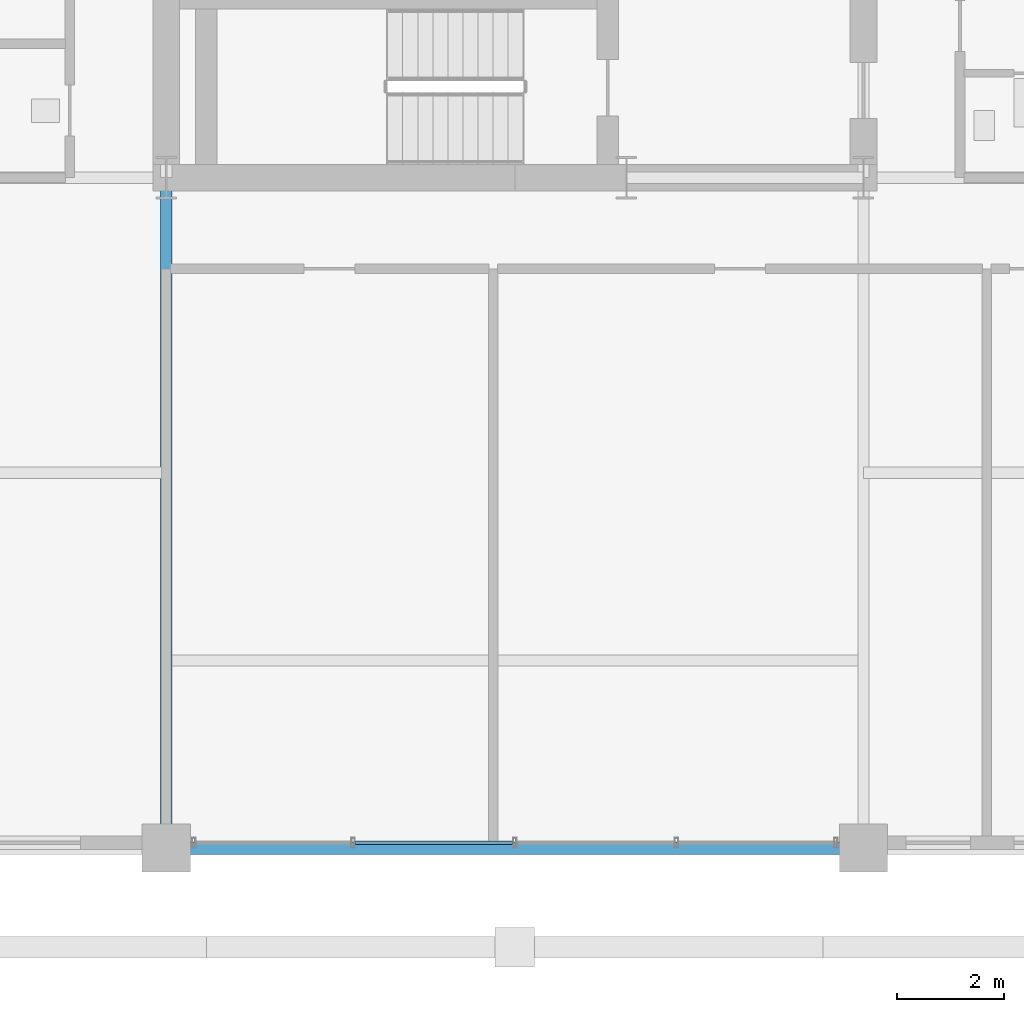
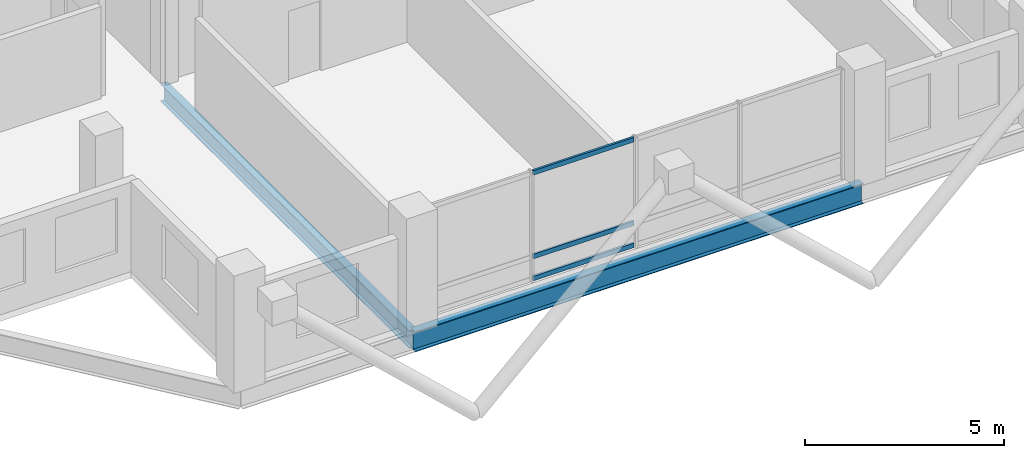
# One storey, part 4 of 23: 3 members, 2 beams, 1 element without a shape of its own.
"""IFC4 building model written with IfcOpenShell, lengths in metres."""

import ifcopenshell
import ifcopenshell.guid

model = None  # the IFC model being written
_history = None  # IfcOwnerHistory: only IFC2X3 demands one
_inside = {}  # id of a spatial element -> (the spatial element, [elements in it])
_under = {}  # id of a project, library or spatial element -> (it, [spatial elements below it])
_declared = {}  # id of a project -> (the project, [libraries it declares])
_typed = {}  # id of a type object -> (the type object, [elements of that type])
_made_of = {}  # id of a material, layer set ... -> (it, [elements and type objects made of it])


def new_model(schema):
    """Start an empty IFC model of exactly this schema.

    Asked for "IFC4X3", IfcOpenShell would pick the latest addendum, in which some entities
    have other attributes; the version numbers below select the first issue.
    IFC2X3 requires an IfcOwnerHistory on every rooted entity: one is made here for all.
    """
    global model, _history
    if schema == "IFC4X3":
        model = ifcopenshell.file(schema_version=(4, 3, 0, 0))
    else:
        model = ifcopenshell.file(schema=schema)
    _inside.clear()
    _under.clear()
    _declared.clear()
    _typed.clear()
    _made_of.clear()
    _history = None
    if model.schema == "IFC2X3":
        org = make("IfcOrganization", Name="unknown")
        user = make(
            "IfcPersonAndOrganization",
            ThePerson=make("IfcPerson", FamilyName="unknown"),
            TheOrganization=org,
        )
        app = make(
            "IfcApplication",
            ApplicationDeveloper=org,
            Version="unknown",
            ApplicationFullName="unknown",
            ApplicationIdentifier="unknown",
        )
        _history = make(
            "IfcOwnerHistory",
            OwningUser=user,
            OwningApplication=app,
            ChangeAction="ADDED",
            CreationDate=0,
        )
    return model


def make(cls, **values):
    """One entity of the class cls with the attributes given. An attribute that is None is left unset."""
    return model.create_entity(
        cls, **{name: value for name, value in values.items() if value is not None}
    )


def rooted(cls, **values):
    """An entity with a GlobalId (a new one), such as an element, a storey or a relation."""
    return make(cls, GlobalId=ifcopenshell.guid.new(), OwnerHistory=_history, **values)


def si_unit(unit_type, name, prefix=None):
    """IfcSIUnit, for example si_unit("LENGTHUNIT", "METRE", prefix="MILLI")."""
    return make("IfcSIUnit", UnitType=unit_type, Prefix=prefix, Name=name)


def assignment(units):
    """IfcUnitAssignment: the units of a project."""
    return None if units is None else make("IfcUnitAssignment", Units=units)


def point(xyz):
    """IfcCartesianPoint."""
    return None if xyz is None else make("IfcCartesianPoint", Coordinates=xyz)


def direction(xyz):
    """IfcDirection."""
    return None if xyz is None else make("IfcDirection", DirectionRatios=xyz)


def frame(location, z_axis=None, x_axis=None):
    """IfcAxis2Placement3D, a coordinate frame: its origin and axes. An axis left out is left unset."""
    return make(
        "IfcAxis2Placement3D",
        Location=point(location),
        Axis=direction(z_axis),
        RefDirection=direction(x_axis),
    )


def frame_2d(location, x_axis=None):
    """IfcAxis2Placement2D, a coordinate frame in the plane: its origin and x axis."""
    return make(
        "IfcAxis2Placement2D", Location=point(location), RefDirection=direction(x_axis)
    )


def origin():
    """The frame at (0, 0, 0) with its axes left unset."""
    return frame((0.0, 0.0, 0.0))


def origin_2d():
    """The frame at (0, 0) in the plane with its x axis left unset."""
    return frame_2d((0.0, 0.0))


def place(relative_to, where):
    """IfcLocalPlacement: puts the frame where relative to a parent placement (None: the world)."""
    return make(
        "IfcLocalPlacement", PlacementRelTo=relative_to, RelativePlacement=where
    )


def context(
    kind, dimensions, precision=None, world=None, true_north=None, identifier=None
):
    """IfcGeometricRepresentationContext, for example the 3D "Model" context."""
    return make(
        "IfcGeometricRepresentationContext",
        ContextIdentifier=identifier,
        ContextType=kind,
        CoordinateSpaceDimension=dimensions,
        Precision=precision,
        WorldCoordinateSystem=world,
        TrueNorth=true_north,
    )


def subcontext(parent, identifier, kind, view, scale=None):
    """IfcGeometricRepresentationSubContext, for example "Body" below "Model"."""
    return make(
        "IfcGeometricRepresentationSubContext",
        ContextIdentifier=identifier,
        ContextType=kind,
        ParentContext=parent,
        TargetScale=scale,
        TargetView=view,
    )


def project(units=None, contexts=None):
    """IfcProject with its units and contexts."""
    return rooted(
        "IfcProject",
        Name="project",
        RepresentationContexts=contexts,
        UnitsInContext=assignment(units),
    )


def spatial(cls, under=None, at=None, **own):
    """A site, building, storey or space (cls), placed at a placement, below another one or the project."""
    s = rooted(cls, ObjectPlacement=at, **own)
    if under is not None:
        _under.setdefault(under.id(), (under, []))[1].append(s)
    return s


def profile(cls, at=None, kind="AREA", **sizes):
    """A parametric profile (cls). Its sizes go by their IFC names, for example OverallWidth=200.0."""
    return make(cls, ProfileType=kind, Position=at, **sizes)


def hollow_rectangle(**sizes):
    """IfcRectangleHollowProfileDef."""
    return profile("IfcRectangleHollowProfileDef", **sizes)


def i_section(**sizes):
    """IfcIShapeProfileDef."""
    return profile("IfcIShapeProfileDef", **sizes)


def extrude(swept, where, along, depth):
    """IfcExtrudedAreaSolid: the profile swept, set in the frame where, extruded along a direction by depth."""
    return make(
        "IfcExtrudedAreaSolid",
        SweptArea=swept,
        Position=where,
        ExtrudedDirection=direction(along),
        Depth=depth,
    )


def shape(context_of_items, identifier, shape_type, items):
    """IfcShapeRepresentation: the items that make up one representation, for example the "Body"."""
    return make(
        "IfcShapeRepresentation",
        ContextOfItems=context_of_items,
        RepresentationIdentifier=identifier,
        RepresentationType=shape_type,
        Items=items,
    )


def material(Name=None, Category=None):
    """IfcMaterial."""
    return make("IfcMaterial", Name=Name, Category=Category)


def layer(
    of_material, thickness, ventilated=None, Name=None, Category=None, Priority=None
):
    """IfcMaterialLayer: one layer of a wall or slab, of a material (None: an air gap)."""
    return make(
        "IfcMaterialLayer",
        Material=of_material,
        LayerThickness=thickness,
        IsVentilated=ventilated,
        Name=Name,
        Category=Category,
        Priority=Priority,
    )


def layer_set(layers, Name=None):
    """IfcMaterialLayerSet."""
    return make("IfcMaterialLayerSet", MaterialLayers=layers, LayerSetName=Name)


def material_profile(
    of_material, cross_section, Name=None, Category=None, Priority=None
):
    """IfcMaterialProfile: a cross section and its material."""
    return make(
        "IfcMaterialProfile",
        Name=Name,
        Material=of_material,
        Profile=cross_section,
        Priority=Priority,
        Category=Category,
    )


def profile_set(profiles, Name=None, composite=None):
    """IfcMaterialProfileSet."""
    return make(
        "IfcMaterialProfileSet",
        Name=Name,
        MaterialProfiles=profiles,
        CompositeProfile=composite,
    )


def made_of(thing, what):
    """Note that an element or type object is made of a material, layer set ...; save() writes the relation."""
    if what is not None:
        _made_of.setdefault(what.id(), (what, []))[1].append(thing)
    return thing


def type_object(cls, material=None, **own):
    """A type object (cls), such as IfcWallType, which elements share."""
    return made_of(rooted(cls, **own), material)


def element(
    cls,
    number,
    at=None,
    inside=None,
    cuts=None,
    type_object=None,
    material=None,
    context=None,
    identifier="Body",
    shape_type=None,
    held_by="IfcProductDefinitionShape",
    body=None,
    shapes=None,
    **own,
):
    """One element of the class cls, such as IfcWall. Its Tag is "e" and its number.

    at: its placement. inside: the storey or other place that contains it. cuts: it is an
    opening in that element (IfcRelVoidsElement). A single representation is given by context,
    identifier, shape_type and body (its items); several are given by shapes. held_by: the class
    of the entity that holds the representations. save() writes the other relations.
    """
    e = rooted(cls, Tag="e%d" % number, ObjectPlacement=at, **own)
    if body is not None:
        shapes = [shape(context, identifier, shape_type, body)]
    if shapes is not None:
        e.Representation = make(held_by, Representations=shapes)
    if inside is not None:
        _inside.setdefault(inside.id(), (inside, []))[1].append(e)
    if cuts is not None:
        rooted(
            "IfcRelVoidsElement", RelatingBuildingElement=cuts, RelatedOpeningElement=e
        )
    if type_object is not None:
        _typed.setdefault(type_object.id(), (type_object, []))[1].append(e)
    return made_of(e, material)


def aggregate(whole, parts):
    """IfcRelAggregates: a whole, such as a stair, and the parts it consists of."""
    return rooted("IfcRelAggregates", RelatingObject=whole, RelatedObjects=parts)


def save(model, path):
    """Write the relations noted so far, then the file.

    IfcRelAggregates (storeys below a building ...), IfcRelContainedInSpatialStructure (elements
    in a storey), IfcRelDefinesByType, IfcRelAssociatesMaterial and IfcRelDeclares: one each for
    every whole, place, type object, material and project.
    """
    for whole, parts in _under.values():
        aggregate(whole, parts)
    for where, things in _inside.values():
        rooted(
            "IfcRelContainedInSpatialStructure",
            RelatedElements=things,
            RelatingStructure=where,
        )
    for kind, things in _typed.values():
        rooted("IfcRelDefinesByType", RelatedObjects=things, RelatingType=kind)
    for what, things in _made_of.values():
        rooted("IfcRelAssociatesMaterial", RelatedObjects=things, RelatingMaterial=what)
    for by, libraries in _declared.values():
        rooted("IfcRelDeclares", RelatingContext=by, RelatedDefinitions=libraries)
    model.write(path)


model = new_model("IFC4")

# Units and contexts
model_context = context("Model", 3, precision=1e-05, world=origin(), true_north=direction((0.0, 1.0)))
body_context = subcontext(model_context, "Body", "Model", "MODEL_VIEW")
ifc_project = project(units=[si_unit("LENGTHUNIT", "METRE"), si_unit("AREAUNIT", "SQUARE_METRE"), si_unit("VOLUMEUNIT", "CUBIC_METRE"), si_unit("PLANEANGLEUNIT", "RADIAN"), si_unit("MASSUNIT", "GRAM", prefix="KILO")], contexts=[model_context])

# Site, building, storey
site_placement = place(None, origin())
site = spatial("IfcSite", under=ifc_project, at=site_placement, CompositionType="ELEMENT")
building_placement = place(site_placement, origin())
building = spatial("IfcBuilding", under=site, at=building_placement, Name="Barlavira Tower and Art Museum", CompositionType="ELEMENT")
storey_placement = place(building_placement, frame((0.0, 0.0, 279.89990234375)))
storey = spatial("IfcBuildingStorey", under=building, at=storey_placement, Name="L73", CompositionType="ELEMENT", Elevation=279.89990234375)

# Curtain wall, members
ifc_material_1 = material(Name="Low-iron coastal laminated glass", Category="glass")
ifc_layer = layer(ifc_material_1, 0.2099609375, Name="Low-iron coastal laminated glass")
ifc_layer_set = layer_set([ifc_layer], Name="Low-iron coastal laminated glass")
curtain_wall_type = type_object("IfcCurtainWallType", Name="Pale-Metal Unitised Curtain Wall Zone 4", PredefinedType="NOTDEFINED", material=ifc_layer_set)
curtain_wall_placement = place(storey_placement, origin())
curtain_wall = element("IfcCurtainWall", 1, at=curtain_wall_placement, inside=storey, type_object=curtain_wall_type, Name="L73 Curtain Wall CW4-L73-S-B2", PredefinedType="NOTDEFINED")
ifc_material_2 = material(Name="Pale anodised aluminium", Category="aluminium")
ifc_material_profile_1 = material_profile(ifc_material_2, hollow_rectangle(XDim=0.06494140625, YDim=0.139892578125, WallThickness=0.00390625, at=origin_2d()), Name="ALU-TRAN 65x140x4")
ifc_profile_set_1 = profile_set([ifc_material_profile_1], Name="Pale anodised aluminium")
member_type = type_object("IfcMemberType", Name="Curtain Wall Pale-Metal Transom 65x140", PredefinedType="USERDEFINED", material=ifc_profile_set_1)
member_1_placement = place(storey_placement, frame((-2.969970703125, -19.89990234375, 0.070068359375), z_axis=(1.0, 0.0, 0.0), x_axis=(0.0, 1.0, 0.0)))
member_1 = element("IfcMember", 2, at=member_1_placement, type_object=member_type, Name="CW4-L73-S-B2 Transom 1.1", ObjectType="TRANSOM", PredefinedType="USERDEFINED", context=body_context, shape_type="SweptSolid", body=[
    extrude(hollow_rectangle(XDim=0.06494140625, YDim=0.139892578125, WallThickness=0.00390625, at=origin_2d()), origin(), (0.0, 0.0, 1.0), 2.925048828125),
])
member_2_placement = place(storey_placement, frame((-2.969970703125, -19.89990234375, 0.744140625), z_axis=(1.0, 0.0, 0.0), x_axis=(0.0, 1.0, 0.0)))
member_2 = element("IfcMember", 3, at=member_2_placement, type_object=member_type, Name="CW4-L73-S-B2 Transom 1.2", ObjectType="TRANSOM", PredefinedType="USERDEFINED", context=body_context, shape_type="SweptSolid", body=[
    extrude(hollow_rectangle(XDim=0.06494140625, YDim=0.139892578125, WallThickness=0.00390625, at=origin_2d()), origin(), (0.0, 0.0, 1.0), 2.925048828125),
])
member_3_placement = place(storey_placement, frame((-2.969970703125, -19.89990234375, 3.31005859375), z_axis=(1.0, 0.0, 0.0), x_axis=(0.0, 1.0, 0.0)))
member_3 = element("IfcMember", 4, at=member_3_placement, type_object=member_type, Name="CW4-L73-S-B2 Transom 1.3", ObjectType="TRANSOM", PredefinedType="USERDEFINED", context=body_context, shape_type="SweptSolid", body=[
    extrude(hollow_rectangle(XDim=0.06494140625, YDim=0.139892578125, WallThickness=0.00390625, at=origin_2d()), origin(), (0.0, 0.0, 1.0), 2.925048828125),
])
aggregate(curtain_wall, [member_1, member_2, member_3])

# Beams
ifc_material_3 = material(Name="Steel S355", Category="steel")
ifc_material_profile_2 = material_profile(ifc_material_3, i_section(OverallWidth=0.22998046875, OverallDepth=0.616943359375, WebThickness=0.01318359375, FlangeThickness=0.022216796875, at=origin_2d()), Name="W610x140.0")
ifc_profile_set_2 = profile_set([ifc_material_profile_2], Name="Steel S355")
beam_type_1 = type_object("IfcBeamType", Name="Upper Shaft Spandrel Edge Beam W610x140 Steel S355", PredefinedType="SPANDREL", material=ifc_profile_set_2)
beam_1_placement = place(storey_placement, frame((-6.5, -20.0, -0.5283203125), z_axis=(1.0, 0.0, 0.0), x_axis=(0.0, 1.0, 0.0)))
element("IfcBeam", 5, at=beam_1_placement, inside=storey, type_object=beam_type_1, Name="L73 Spandrel 2", PredefinedType="SPANDREL", context=body_context, shape_type="SweptSolid", body=[
    extrude(i_section(OverallWidth=0.22998046875, OverallDepth=0.616943359375, WebThickness=0.01318359375, FlangeThickness=0.022216796875, at=origin_2d()), origin(), (0.0, 0.0, 1.0), 13.0),
])
ifc_material_profile_3 = material_profile(ifc_material_3, i_section(OverallWidth=0.2109375, OverallDepth=0.5390625, WebThickness=0.01171875, FlangeThickness=0.018798828125, at=origin_2d()), Name="W530x109.0")
ifc_profile_set_3 = profile_set([ifc_material_profile_3], Name="Steel S355")
beam_type_2 = type_object("IfcBeamType", Name="Zone 3-4 Primary Floor Girder W530x109 Steel S355", PredefinedType="BEAM", material=ifc_profile_set_3)
beam_2_placement = place(storey_placement, frame((-6.5, -20.0, -0.489501953125), z_axis=(0.0, 1.0, 0.0), x_axis=(-1.0, 0.0, 0.0)))
element("IfcBeam", 6, at=beam_2_placement, inside=storey, type_object=beam_type_2, Name="L73 Girder R-S1", PredefinedType="BEAM", context=body_context, shape_type="SweptSolid", body=[
    extrude(i_section(OverallWidth=0.2109375, OverallDepth=0.5390625, WebThickness=0.01171875, FlangeThickness=0.018798828125, at=origin_2d()), origin(), (0.0, 0.0, 1.0), 12.5),
])

save(model, "model.ifc")
